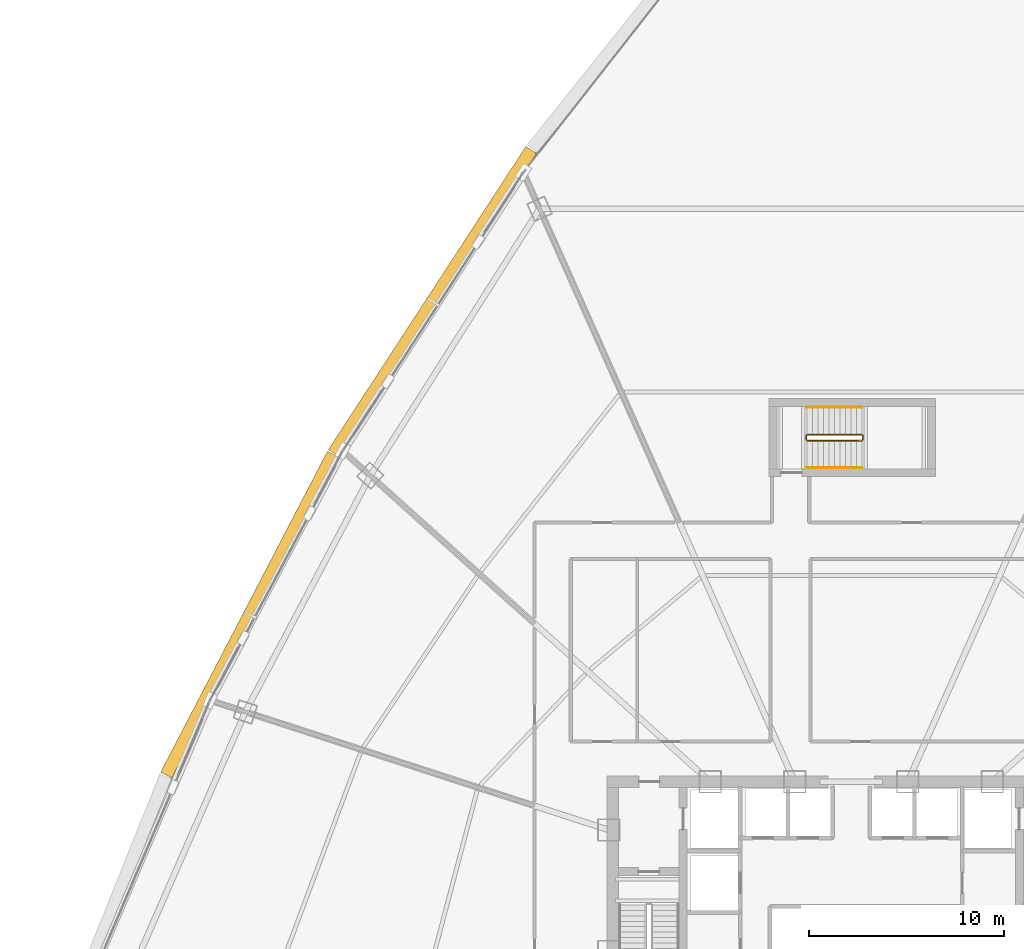
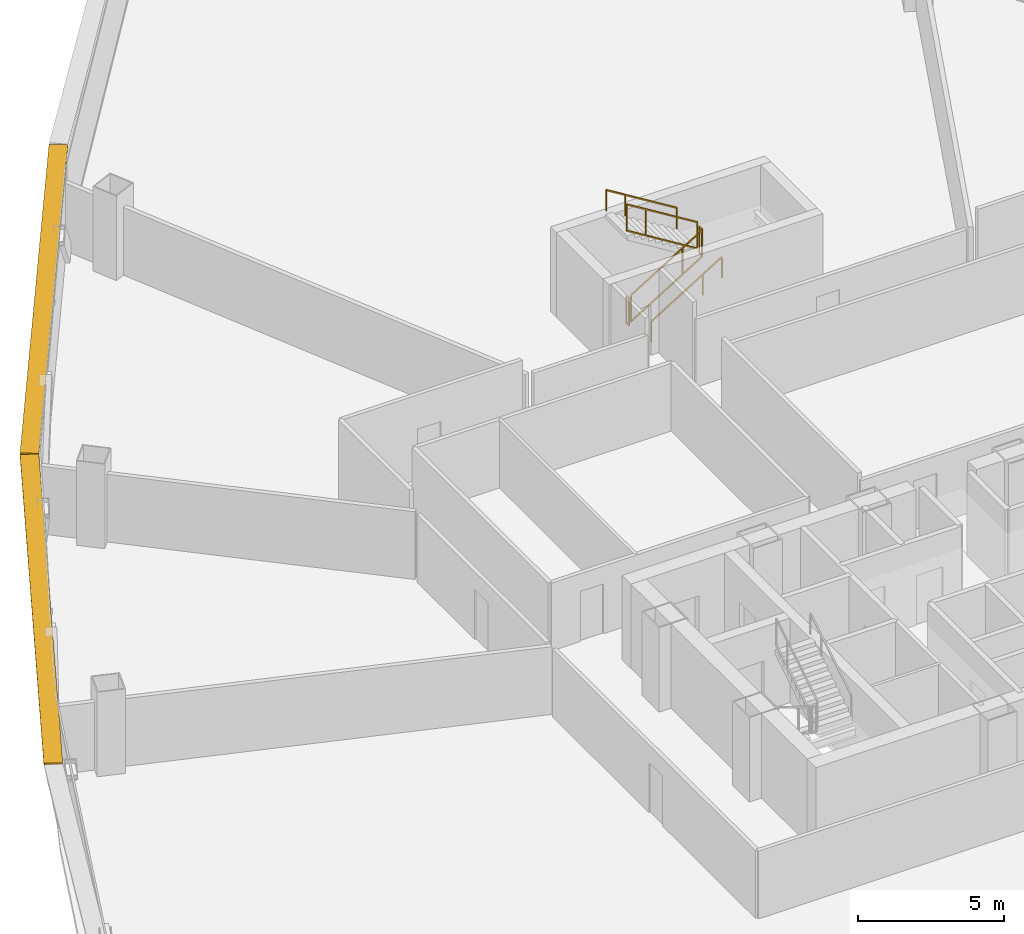
# One storey, part 38 of 39: 6 railings, 2 shading devices.
"""IFC4 building model written with IfcOpenShell, lengths in metres."""

from ifc_helpers import new_model, si_unit, direction, frame, origin, origin_2d, place, context, subcontext, project, spatial, rectangle, extrude, source, transform, mapped, material, layer, layer_set, type_object, element, save


model = new_model("IFC4")

# Units and contexts
model_context = context("Model", 3, precision=1e-05, world=origin(), true_north=direction((0.0, 1.0)))
body_context = subcontext(model_context, "Body", "Model", "MODEL_VIEW")
ifc_project = project(units=[si_unit("LENGTHUNIT", "METRE"), si_unit("AREAUNIT", "SQUARE_METRE"), si_unit("VOLUMEUNIT", "CUBIC_METRE"), si_unit("PLANEANGLEUNIT", "RADIAN"), si_unit("MASSUNIT", "GRAM", prefix="KILO"), si_unit("THERMODYNAMICTEMPERATUREUNIT", "KELVIN"), si_unit("POWERUNIT", "WATT")], contexts=[model_context])

# Site, building, storey
site_placement = place(None, origin())
site = spatial("IfcSite", under=ifc_project, at=site_placement, CompositionType="ELEMENT")
building_placement = place(site_placement, origin())
building = spatial("IfcBuilding", under=site, at=building_placement, Name="Yunzhuo Pagoda Commons", CompositionType="ELEMENT")
storey_placement = place(building_placement, frame((0.0, 0.0, 96.3798828125)))
storey = spatial("IfcBuildingStorey", under=building, at=storey_placement, Name="L24", CompositionType="ELEMENT", Elevation=96.3798828125)

# Railings
ifc_material = material(Name="Anodized aluminium 6063-T6", Category="aluminium")
railing_type_1 = type_object("IfcRailingType", Name="GR-ST3 North Well Guardrail 1155", PredefinedType="GUARDRAIL", material=ifc_material)
railing_1_placement = place(storey_placement, frame((45.75, 57.64990234375, 0.1728515625)))
element("IfcRailing", 1, at=railing_1_placement, inside=storey, type_object=railing_type_1, Name="L24 ST3 stair guard 1", PredefinedType="GUARDRAIL", context=body_context, shape_type="SweptSolid", body=[
    extrude(rectangle(XDim=0.048095703125, YDim=0.048095703125, at=origin_2d()), frame((0.0, 0.0, 1.1259765625), z_axis=(0.851089632645, 0.0, 0.525020415988), x_axis=(0.0, 1.0, 0.0)), (0.0, 0.0, 1.0), 3.2900390625),
    extrude(rectangle(XDim=0.048095703125, YDim=0.048095703125, at=origin_2d()), frame((0.0, 0.0, 0.02392578125), z_axis=(0.851089632645, 0.0, 0.525020415988), x_axis=(0.0, 1.0, 0.0)), (0.0, 0.0, 1.0), 3.2900390625),
    extrude(rectangle(XDim=0.0419921875, YDim=0.0419921875, at=origin_2d()), origin(), (0.0, 0.0, 1.0), 1.101806640625),
    extrude(rectangle(XDim=0.0419921875, YDim=0.0419921875, at=origin_2d()), frame((2.042724609375, 0.0, 1.260009765625)), (0.0, 0.0, 1.0), 1.101806640625),
    extrude(rectangle(XDim=0.0419921875, YDim=0.0419921875, at=origin_2d()), frame((2.800048828125, 0.0, 1.727294921875)), (0.0, 0.0, 1.0), 1.101806640625),
])
railing_2_placement = place(storey_placement, frame((48.60009765625, 57.699951171875, 1.900146484375)))
element("IfcRailing", 2, at=railing_2_placement, inside=storey, type_object=railing_type_1, Name="L24 ST3 stair guard 2", PredefinedType="GUARDRAIL", context=body_context, shape_type="SweptSolid", body=[
    extrude(rectangle(XDim=0.048095703125, YDim=0.048095703125, at=origin_2d()), frame((0.0, 0.0, 1.1259765625), z_axis=(0.0, 1.0, 0.0), x_axis=(-1.0, 0.0, 0.0)), (0.0, 0.0, 1.0), 0.199951171875),
    extrude(rectangle(XDim=0.048095703125, YDim=0.048095703125, at=origin_2d()), frame((0.0, 0.0, 0.02392578125), z_axis=(0.0, 1.0, 0.0), x_axis=(-1.0, 0.0, 0.0)), (0.0, 0.0, 1.0), 0.199951171875),
    extrude(rectangle(XDim=0.0419921875, YDim=0.0419921875, at=origin_2d()), origin(), (0.0, 0.0, 1.0), 1.101806640625),
    extrude(rectangle(XDim=0.0419921875, YDim=0.0419921875, at=origin_2d()), frame((0.0, 0.199951171875, 0.0)), (0.0, 0.0, 1.0), 1.101806640625),
])
railing_3_placement = place(storey_placement, frame((48.550048828125, 57.949951171875, 2.07275390625)))
element("IfcRailing", 3, at=railing_3_placement, inside=storey, type_object=railing_type_1, Name="L24 ST3 stair guard 3", PredefinedType="GUARDRAIL", context=body_context, shape_type="SweptSolid", body=[
    extrude(rectangle(XDim=0.048095703125, YDim=0.048095703125, at=origin_2d()), frame((0.0, 0.0, 1.1259765625), z_axis=(-0.851089632645, 0.0, 0.525020415988), x_axis=(0.0, -1.0, 0.0)), (0.0, 0.0, 1.0), 3.2900390625),
    extrude(rectangle(XDim=0.048095703125, YDim=0.048095703125, at=origin_2d()), frame((0.0, 0.0, 0.02392578125), z_axis=(-0.851089632645, 0.0, 0.525020415988), x_axis=(0.0, -1.0, 0.0)), (0.0, 0.0, 1.0), 3.2900390625),
    extrude(rectangle(XDim=0.0419921875, YDim=0.0419921875, at=origin_2d()), origin(), (0.0, 0.0, 1.0), 1.101806640625),
    extrude(rectangle(XDim=0.0419921875, YDim=0.0419921875, at=origin_2d()), frame((-2.042724609375, 0.0, 1.260009765625)), (0.0, 0.0, 1.0), 1.101806640625),
    extrude(rectangle(XDim=0.0419921875, YDim=0.0419921875, at=origin_2d()), frame((-2.800048828125, 0.0, 1.727294921875)), (0.0, 0.0, 1.0), 1.101806640625),
])
railing_4_placement = place(storey_placement, frame((45.699951171875, 57.699951171875, 0.0)))
element("IfcRailing", 4, at=railing_4_placement, inside=storey, type_object=railing_type_1, Name="L24 ST3 stair guard 4", PredefinedType="GUARDRAIL", context=body_context, shape_type="SweptSolid", body=[
    extrude(rectangle(XDim=0.048095703125, YDim=0.048095703125, at=origin_2d()), frame((0.0, 0.0, 1.1259765625), z_axis=(0.0, 1.0, 0.0), x_axis=(-1.0, 0.0, 0.0)), (0.0, 0.0, 1.0), 0.199951171875),
    extrude(rectangle(XDim=0.048095703125, YDim=0.048095703125, at=origin_2d()), frame((0.0, 0.0, 0.02392578125), z_axis=(0.0, 1.0, 0.0), x_axis=(-1.0, 0.0, 0.0)), (0.0, 0.0, 1.0), 0.199951171875),
    extrude(rectangle(XDim=0.0419921875, YDim=0.0419921875, at=origin_2d()), origin(), (0.0, 0.0, 1.0), 1.101806640625),
    extrude(rectangle(XDim=0.0419921875, YDim=0.0419921875, at=origin_2d()), frame((0.0, 0.199951171875, 0.0)), (0.0, 0.0, 1.0), 1.101806640625),
])
railing_type_2 = type_object("IfcRailingType", Name="HR-ST3 North Stair Handrail 900", PredefinedType="HANDRAIL", material=ifc_material)
railing_5_placement = place(storey_placement, frame((45.75, 56.25, 0.1728515625)))
element("IfcRailing", 5, at=railing_5_placement, inside=storey, type_object=railing_type_2, Name="L24 ST3 stair handrail 1", PredefinedType="HANDRAIL", context=body_context, shape_type="SweptSolid", body=[
    extrude(rectangle(XDim=0.048095703125, YDim=0.048095703125, at=origin_2d()), frame((0.0, 0.0, 0.8759765625), z_axis=(0.851089632645, 0.0, 0.525020415988), x_axis=(0.0, 1.0, 0.0)), (0.0, 0.0, 1.0), 3.2900390625),
    extrude(rectangle(XDim=0.0419921875, YDim=0.0419921875, at=origin_2d()), origin(), (0.0, 0.0, 1.0), 0.851806640625),
    extrude(rectangle(XDim=0.0419921875, YDim=0.0419921875, at=origin_2d()), frame((2.042724609375, 0.0, 1.260009765625)), (0.0, 0.0, 1.0), 0.851806640625),
    extrude(rectangle(XDim=0.0419921875, YDim=0.0419921875, at=origin_2d()), frame((2.800048828125, 0.0, 1.727294921875)), (0.0, 0.0, 1.0), 0.851806640625),
])
railing_6_placement = place(storey_placement, frame((48.550048828125, 59.35009765625, 2.07275390625)))
element("IfcRailing", 6, at=railing_6_placement, inside=storey, type_object=railing_type_2, Name="L24 ST3 stair handrail 2", PredefinedType="HANDRAIL", context=body_context, shape_type="SweptSolid", body=[
    extrude(rectangle(XDim=0.048095703125, YDim=0.048095703125, at=origin_2d()), frame((0.0, 0.0, 0.8759765625), z_axis=(-0.851089632645, 0.0, 0.525020415988), x_axis=(0.0, -1.0, 0.0)), (0.0, 0.0, 1.0), 3.2900390625),
    extrude(rectangle(XDim=0.0419921875, YDim=0.0419921875, at=origin_2d()), origin(), (0.0, 0.0, 1.0), 0.851806640625),
    extrude(rectangle(XDim=0.0419921875, YDim=0.0419921875, at=origin_2d()), frame((-2.042724609375, 0.0, 1.260009765625)), (0.0, 0.0, 1.0), 0.851806640625),
    extrude(rectangle(XDim=0.0419921875, YDim=0.0419921875, at=origin_2d()), frame((-2.800048828125, 0.0, 1.727294921875)), (0.0, 0.0, 1.0), 0.851806640625),
])

# Shading devices
ifc_layer = layer(ifc_material, 0.080078125)
ifc_layer_set = layer_set([ifc_layer], Name="Anodized aluminium 6063-T6")
shading_device_type = type_object("IfcShadingDeviceType", Name="SH-SUN1 Pagoda Horizontal Sunshade Eave 650", PredefinedType="USERDEFINED", material=ifc_layer_set)
shared_shape = source(origin(), body_context, "Body", "SweptSolid", [
    extrude(rectangle(XDim=18.509521484375, YDim=0.64990234375, at=origin_2d()), origin(), (0.0, 0.0, 1.0), 0.080078125),
])
for number, where, z_axis, x_axis, name in (
    (7, (26.578857421875, 64.768798828125, 3.4599609375), (0.0, 0.0, 1.0), (-0.545838756973, -0.837890238269, 0.0), "L24 horizontal pagoda sunshade eave F3.2"),
    (8, (17.226806640625, 48.748046875, 3.4599609375), (0.0, 0.0, 1.0), (-0.461206683033, -0.88729273384, 0.0), "L24 horizontal pagoda sunshade eave F3.3"),
):
    element("IfcShadingDevice", number, at=place(storey_placement, frame(where, z_axis=z_axis, x_axis=x_axis)), inside=storey, type_object=shading_device_type, Name=name, ObjectType="SUNSHADE", PredefinedType="USERDEFINED", context=body_context, shape_type="MappedRepresentation", body=[
        mapped(shared_shape, transform((0.0, 0.0, 0.0), scale=1.0)),
    ])

save(model, "model.ifc")
